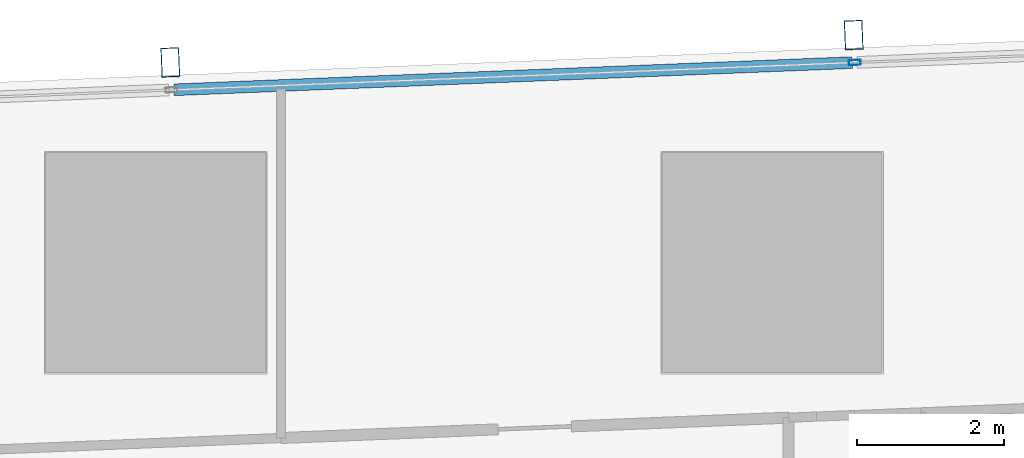
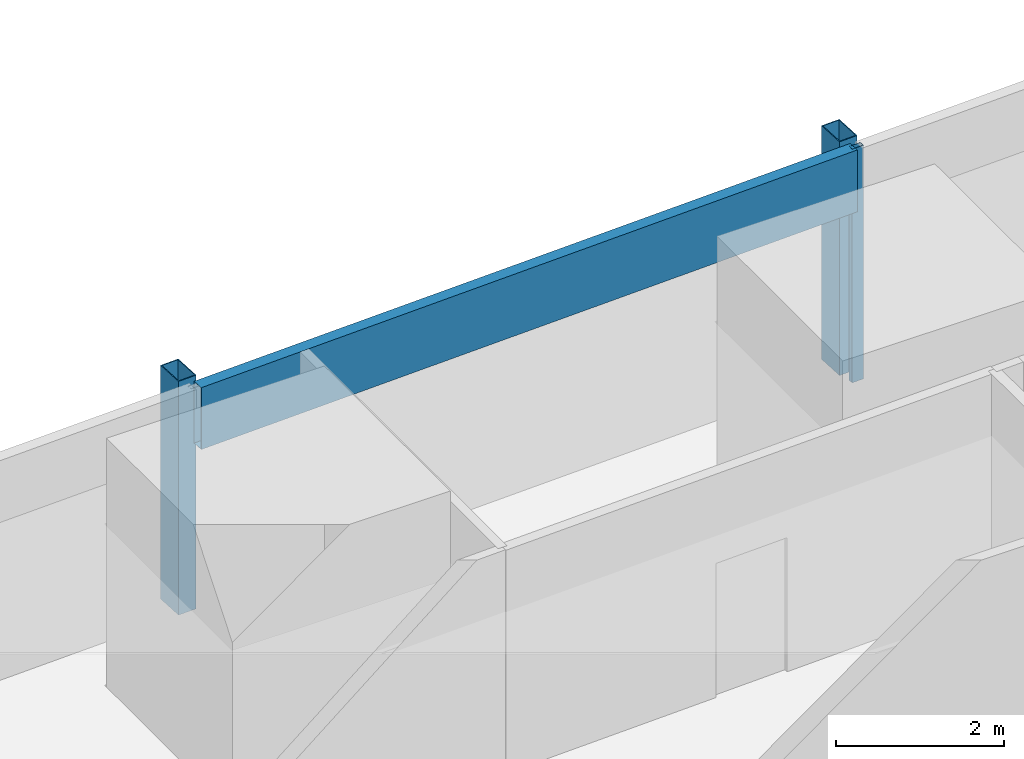
# One storey, part 17 of 38: 4 members, 1 element without a shape of its own.
"""IFC4 building model written with IfcOpenShell, lengths in metres."""

from ifc_helpers import new_model, si_unit, direction, frame, origin, origin_2d, place, context, subcontext, project, spatial, hollow_rectangle, extrude, material, material_profile, profile_set, type_object, element, aggregate, save


model = new_model("IFC4")

# Units and contexts
model_context = context("Model", 3, precision=1e-05, world=origin(), true_north=direction((0.0, 1.0)))
body_context = subcontext(model_context, "Body", "Model", "MODEL_VIEW")
ifc_project = project(units=[si_unit("LENGTHUNIT", "METRE"), si_unit("AREAUNIT", "SQUARE_METRE"), si_unit("VOLUMEUNIT", "CUBIC_METRE"), si_unit("PLANEANGLEUNIT", "RADIAN"), si_unit("MASSUNIT", "GRAM", prefix="KILO")], contexts=[model_context])

# Site, building, storey
site_placement = place(None, origin())
site = spatial("IfcSite", under=ifc_project, at=site_placement, CompositionType="ELEMENT")
building_placement = place(site_placement, origin())
building = spatial("IfcBuilding", under=site, at=building_placement, Name="Rekha Terrace Tower", CompositionType="ELEMENT")
storey_placement = place(building_placement, frame((0.0, 0.0, 159.050048828125)))
storey = spatial("IfcBuildingStorey", under=building, at=storey_placement, Name="L40", CompositionType="ELEMENT", Elevation=159.050048828125)

# Curtain wall, members
ifc_material_1 = material(Name="Aluminium framing", Category="aluminium")
curtain_wall_type = type_object("IfcCurtainWallType", Name="CW3 north unitised glazing", PredefinedType="USERDEFINED", material=ifc_material_1)
curtain_wall_placement = place(storey_placement, origin())
curtain_wall = element("IfcCurtainWall", 1, at=curtain_wall_placement, inside=storey, type_object=curtain_wall_type, Name="CW3 unitised curtain wall", ObjectType="UNITISED CURTAIN WALL", PredefinedType="USERDEFINED")
ifc_material_2 = material(Name="Steel S355 with fluorocarbon finish", Category="steel")
ifc_material_profile_1 = material_profile(ifc_material_2, hollow_rectangle(XDim=0.25, YDim=0.39990234375, WallThickness=0.012451171875, at=origin_2d()), Name="RHS400x250x12.5")
ifc_profile_set_1 = profile_set([ifc_material_profile_1], Name="Steel S355 with fluorocarbon finish")
member_type_1 = type_object("IfcMemberType", Name="BL1 facade blade RHS 400 x 250", PredefinedType="USERDEFINED", material=ifc_profile_set_1)
member_1_placement = place(storey_placement, frame((34.7109375, 61.9013671875, 0.0), z_axis=(0.0, 0.0, 1.0), x_axis=(-0.999198382632, -0.040032388711, 0.0)))
member_1 = element("IfcMember", 2, at=member_1_placement, type_object=member_type_1, Name="Facade blade", ObjectType="FACADE BLADE", PredefinedType="USERDEFINED", context=body_context, shape_type="SweptSolid", body=[
    extrude(hollow_rectangle(XDim=0.25, YDim=0.39990234375, WallThickness=0.012451171875, at=origin_2d()), origin(), (0.0, 0.0, 1.0), 3.39990234375),
])
member_2_placement = place(storey_placement, frame((25.39892578125, 61.5283203125, 0.0), z_axis=(0.0, 0.0, 1.0), x_axis=(-0.999198382632, -0.040032388711, 0.0)))
member_2 = element("IfcMember", 3, at=member_2_placement, type_object=member_type_1, Name="Facade blade", ObjectType="FACADE BLADE", PredefinedType="USERDEFINED", context=body_context, shape_type="SweptSolid", body=[
    extrude(hollow_rectangle(XDim=0.25, YDim=0.39990234375, WallThickness=0.012451171875, at=origin_2d()), origin(), (0.0, 0.0, 1.0), 3.39990234375),
])
ifc_material_3 = material(Name="Aluminium mullion section", Category="aluminium")
ifc_material_profile_2 = material_profile(ifc_material_3, hollow_rectangle(XDim=0.070068359375, YDim=0.159912109375, WallThickness=0.00390625, at=origin_2d()), Name="AL RHS 70x160")
ifc_profile_set_2 = profile_set([ifc_material_profile_2], Name="Aluminium mullion section")
member_type_2 = type_object("IfcMemberType", Name="CW3 mullion RHS 70 x 160", PredefinedType="MULLION", material=ifc_profile_set_2)
member_3_placement = place(storey_placement, frame((34.725830078125, 61.526611328125, 0.0), z_axis=(0.0, 0.0, 1.0), x_axis=(0.040031987119, -0.999198398721, 0.0)))
member_3 = element("IfcMember", 4, at=member_3_placement, type_object=member_type_2, Name="CW3 mullion 2", PredefinedType="MULLION", context=body_context, shape_type="SweptSolid", body=[
    extrude(hollow_rectangle(XDim=0.070068359375, YDim=0.159912109375, WallThickness=0.00390625, at=origin_2d()), origin(), (0.0, 0.0, 1.0), 3.39990234375),
])
ifc_material_4 = material(Name="Insulated aluminium spandrel box", Category="aluminium")
ifc_material_profile_3 = material_profile(ifc_material_4, hollow_rectangle(XDim=0.159912109375, YDim=0.89990234375, WallThickness=0.0029296875, at=origin_2d()), Name="AL SPANDREL BOX 160x900")
ifc_profile_set_3 = profile_set([ifc_material_profile_3], Name="Insulated aluminium spandrel box")
member_type_3 = type_object("IfcMemberType", Name="CW3 spandrel transom 160 x 900", PredefinedType="USERDEFINED", material=ifc_profile_set_3)
member_4_placement = place(storey_placement, frame((34.69091796875, 61.525390625, 2.949951171875), z_axis=(-0.999198046754, -0.040040771263, 0.0), x_axis=(0.040040771263, -0.999198046754, 0.0)))
member_4 = element("IfcMember", 5, at=member_4_placement, type_object=member_type_3, Name="CW3 spandrel transom 2", ObjectType="TRANSOM", PredefinedType="USERDEFINED", context=body_context, shape_type="SweptSolid", body=[
    extrude(hollow_rectangle(XDim=0.159912109375, YDim=0.89990234375, WallThickness=0.0029296875, at=origin_2d()), origin(), (0.0, 0.0, 1.0), 9.24951171875),
])
aggregate(curtain_wall, [member_3, member_4, member_1, member_2])

save(model, "model.ifc")
